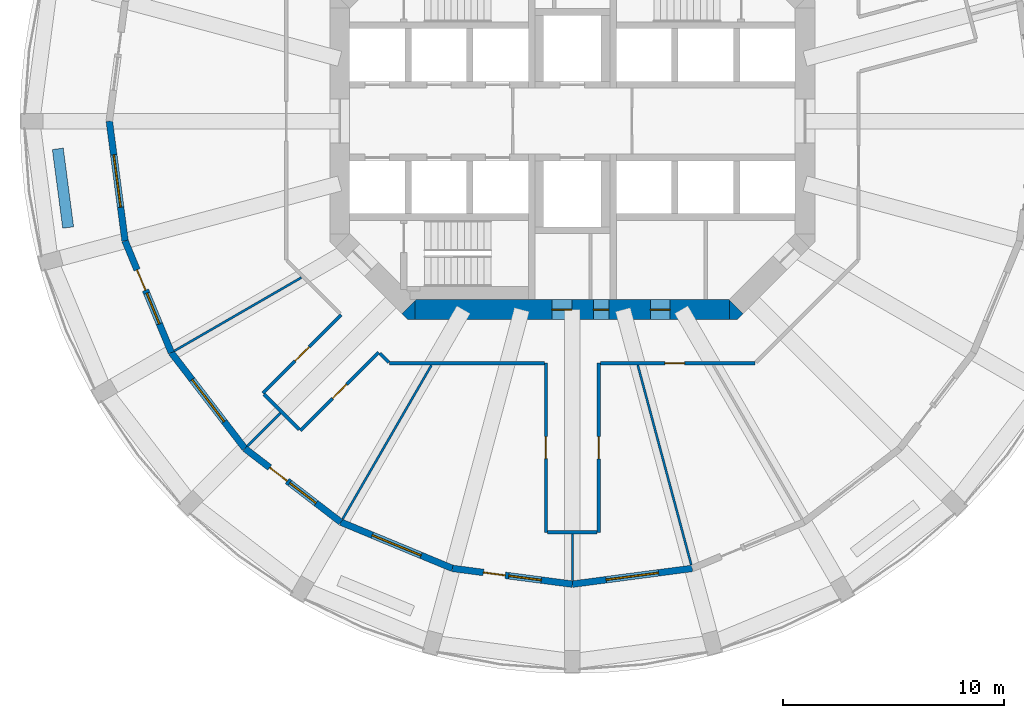
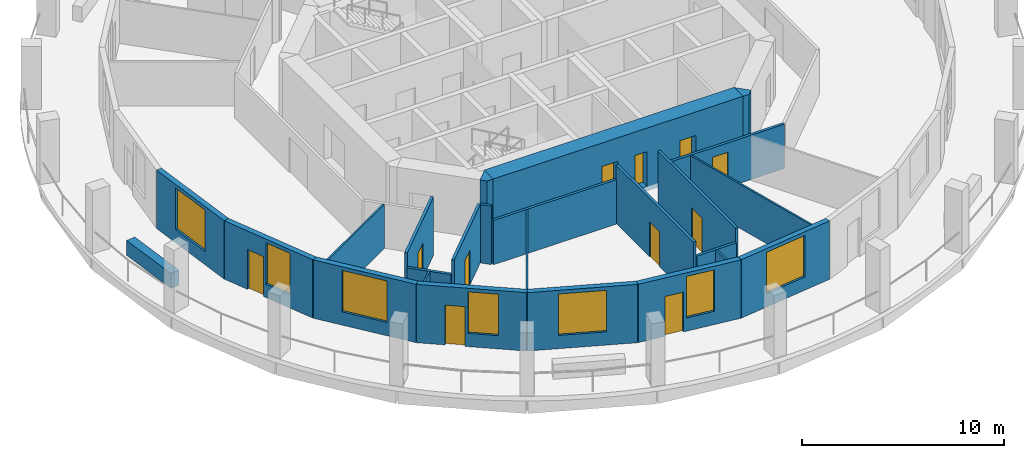
# One storey, part 2 of 8: 25 walls, 11 doors, 7 windows, 18 openings.
"""IFC4 building model written with IfcOpenShell, lengths in metres."""

import ifcopenshell
import ifcopenshell.guid

model = None  # the IFC model being written
_history = None  # IfcOwnerHistory: only IFC2X3 demands one
_inside = {}  # id of a spatial element -> (the spatial element, [elements in it])
_under = {}  # id of a project, library or spatial element -> (it, [spatial elements below it])
_declared = {}  # id of a project -> (the project, [libraries it declares])
_typed = {}  # id of a type object -> (the type object, [elements of that type])
_made_of = {}  # id of a material, layer set ... -> (it, [elements and type objects made of it])


def new_model(schema):
    """Start an empty IFC model of exactly this schema.

    Asked for "IFC4X3", IfcOpenShell would pick the latest addendum, in which some entities
    have other attributes; the version numbers below select the first issue.
    IFC2X3 requires an IfcOwnerHistory on every rooted entity: one is made here for all.
    """
    global model, _history
    if schema == "IFC4X3":
        model = ifcopenshell.file(schema_version=(4, 3, 0, 0))
    else:
        model = ifcopenshell.file(schema=schema)
    _inside.clear()
    _under.clear()
    _declared.clear()
    _typed.clear()
    _made_of.clear()
    _history = None
    if model.schema == "IFC2X3":
        org = make("IfcOrganization", Name="unknown")
        user = make(
            "IfcPersonAndOrganization",
            ThePerson=make("IfcPerson", FamilyName="unknown"),
            TheOrganization=org,
        )
        app = make(
            "IfcApplication",
            ApplicationDeveloper=org,
            Version="unknown",
            ApplicationFullName="unknown",
            ApplicationIdentifier="unknown",
        )
        _history = make(
            "IfcOwnerHistory",
            OwningUser=user,
            OwningApplication=app,
            ChangeAction="ADDED",
            CreationDate=0,
        )
    return model


def make(cls, **values):
    """One entity of the class cls with the attributes given. An attribute that is None is left unset."""
    return model.create_entity(
        cls, **{name: value for name, value in values.items() if value is not None}
    )


def rooted(cls, **values):
    """An entity with a GlobalId (a new one), such as an element, a storey or a relation."""
    return make(cls, GlobalId=ifcopenshell.guid.new(), OwnerHistory=_history, **values)


def si_unit(unit_type, name, prefix=None):
    """IfcSIUnit, for example si_unit("LENGTHUNIT", "METRE", prefix="MILLI")."""
    return make("IfcSIUnit", UnitType=unit_type, Prefix=prefix, Name=name)


def assignment(units):
    """IfcUnitAssignment: the units of a project."""
    return None if units is None else make("IfcUnitAssignment", Units=units)


def point(xyz):
    """IfcCartesianPoint."""
    return None if xyz is None else make("IfcCartesianPoint", Coordinates=xyz)


def direction(xyz):
    """IfcDirection."""
    return None if xyz is None else make("IfcDirection", DirectionRatios=xyz)


def frame(location, z_axis=None, x_axis=None):
    """IfcAxis2Placement3D, a coordinate frame: its origin and axes. An axis left out is left unset."""
    return make(
        "IfcAxis2Placement3D",
        Location=point(location),
        Axis=direction(z_axis),
        RefDirection=direction(x_axis),
    )


def frame_2d(location, x_axis=None):
    """IfcAxis2Placement2D, a coordinate frame in the plane: its origin and x axis."""
    return make(
        "IfcAxis2Placement2D", Location=point(location), RefDirection=direction(x_axis)
    )


def origin():
    """The frame at (0, 0, 0) with its axes left unset."""
    return frame((0.0, 0.0, 0.0))


def place(relative_to, where):
    """IfcLocalPlacement: puts the frame where relative to a parent placement (None: the world)."""
    return make(
        "IfcLocalPlacement", PlacementRelTo=relative_to, RelativePlacement=where
    )


def context(
    kind, dimensions, precision=None, world=None, true_north=None, identifier=None
):
    """IfcGeometricRepresentationContext, for example the 3D "Model" context."""
    return make(
        "IfcGeometricRepresentationContext",
        ContextIdentifier=identifier,
        ContextType=kind,
        CoordinateSpaceDimension=dimensions,
        Precision=precision,
        WorldCoordinateSystem=world,
        TrueNorth=true_north,
    )


def subcontext(parent, identifier, kind, view, scale=None):
    """IfcGeometricRepresentationSubContext, for example "Body" below "Model"."""
    return make(
        "IfcGeometricRepresentationSubContext",
        ContextIdentifier=identifier,
        ContextType=kind,
        ParentContext=parent,
        TargetScale=scale,
        TargetView=view,
    )


def project(units=None, contexts=None):
    """IfcProject with its units and contexts."""
    return rooted(
        "IfcProject",
        Name="project",
        RepresentationContexts=contexts,
        UnitsInContext=assignment(units),
    )


def spatial(cls, under=None, at=None, **own):
    """A site, building, storey or space (cls), placed at a placement, below another one or the project."""
    s = rooted(cls, ObjectPlacement=at, **own)
    if under is not None:
        _under.setdefault(under.id(), (under, []))[1].append(s)
    return s


def polyline(points):
    """IfcPolyline through the points."""
    return make("IfcPolyline", Points=[point(p) for p in points])


def profile(cls, at=None, kind="AREA", **sizes):
    """A parametric profile (cls). Its sizes go by their IFC names, for example OverallWidth=200.0."""
    return make(cls, ProfileType=kind, Position=at, **sizes)


def rectangle(**sizes):
    """IfcRectangleProfileDef."""
    return profile("IfcRectangleProfileDef", **sizes)


def outline(outer, holes=None, kind="AREA"):
    """IfcArbitraryClosedProfileDef: a profile drawn as a closed curve; with holes, ...WithVoids."""
    if holes is None:
        return make("IfcArbitraryClosedProfileDef", ProfileType=kind, OuterCurve=outer)
    return make(
        "IfcArbitraryProfileDefWithVoids",
        ProfileType=kind,
        OuterCurve=outer,
        InnerCurves=holes,
    )


def extrude(swept, where, along, depth):
    """IfcExtrudedAreaSolid: the profile swept, set in the frame where, extruded along a direction by depth."""
    return make(
        "IfcExtrudedAreaSolid",
        SweptArea=swept,
        Position=where,
        ExtrudedDirection=direction(along),
        Depth=depth,
    )


def shape(context_of_items, identifier, shape_type, items):
    """IfcShapeRepresentation: the items that make up one representation, for example the "Body"."""
    return make(
        "IfcShapeRepresentation",
        ContextOfItems=context_of_items,
        RepresentationIdentifier=identifier,
        RepresentationType=shape_type,
        Items=items,
    )


def material(Name=None, Category=None):
    """IfcMaterial."""
    return make("IfcMaterial", Name=Name, Category=Category)


def layer(
    of_material, thickness, ventilated=None, Name=None, Category=None, Priority=None
):
    """IfcMaterialLayer: one layer of a wall or slab, of a material (None: an air gap)."""
    return make(
        "IfcMaterialLayer",
        Material=of_material,
        LayerThickness=thickness,
        IsVentilated=ventilated,
        Name=Name,
        Category=Category,
        Priority=Priority,
    )


def layer_set(layers, Name=None):
    """IfcMaterialLayerSet."""
    return make("IfcMaterialLayerSet", MaterialLayers=layers, LayerSetName=Name)


def made_of(thing, what):
    """Note that an element or type object is made of a material, layer set ...; save() writes the relation."""
    if what is not None:
        _made_of.setdefault(what.id(), (what, []))[1].append(thing)
    return thing


def type_object(cls, material=None, **own):
    """A type object (cls), such as IfcWallType, which elements share."""
    return made_of(rooted(cls, **own), material)


def element(
    cls,
    number,
    at=None,
    inside=None,
    cuts=None,
    type_object=None,
    material=None,
    context=None,
    identifier="Body",
    shape_type=None,
    held_by="IfcProductDefinitionShape",
    body=None,
    shapes=None,
    **own,
):
    """One element of the class cls, such as IfcWall. Its Tag is "e" and its number.

    at: its placement. inside: the storey or other place that contains it. cuts: it is an
    opening in that element (IfcRelVoidsElement). A single representation is given by context,
    identifier, shape_type and body (its items); several are given by shapes. held_by: the class
    of the entity that holds the representations. save() writes the other relations.
    """
    e = rooted(cls, Tag="e%d" % number, ObjectPlacement=at, **own)
    if body is not None:
        shapes = [shape(context, identifier, shape_type, body)]
    if shapes is not None:
        e.Representation = make(held_by, Representations=shapes)
    if inside is not None:
        _inside.setdefault(inside.id(), (inside, []))[1].append(e)
    if cuts is not None:
        rooted(
            "IfcRelVoidsElement", RelatingBuildingElement=cuts, RelatedOpeningElement=e
        )
    if type_object is not None:
        _typed.setdefault(type_object.id(), (type_object, []))[1].append(e)
    return made_of(e, material)


def fill(opening, filler):
    """IfcRelFillsElement: the door or window that sits in an opening."""
    return rooted(
        "IfcRelFillsElement",
        RelatingOpeningElement=opening,
        RelatedBuildingElement=filler,
    )


def aggregate(whole, parts):
    """IfcRelAggregates: a whole, such as a stair, and the parts it consists of."""
    return rooted("IfcRelAggregates", RelatingObject=whole, RelatedObjects=parts)


def save(model, path):
    """Write the relations noted so far, then the file.

    IfcRelAggregates (storeys below a building ...), IfcRelContainedInSpatialStructure (elements
    in a storey), IfcRelDefinesByType, IfcRelAssociatesMaterial and IfcRelDeclares: one each for
    every whole, place, type object, material and project.
    """
    for whole, parts in _under.values():
        aggregate(whole, parts)
    for where, things in _inside.values():
        rooted(
            "IfcRelContainedInSpatialStructure",
            RelatedElements=things,
            RelatingStructure=where,
        )
    for kind, things in _typed.values():
        rooted("IfcRelDefinesByType", RelatedObjects=things, RelatingType=kind)
    for what, things in _made_of.values():
        rooted("IfcRelAssociatesMaterial", RelatedObjects=things, RelatingMaterial=what)
    for by, libraries in _declared.values():
        rooted("IfcRelDeclares", RelatingContext=by, RelatedDefinitions=libraries)
    model.write(path)


model = new_model("IFC4")

# Units and contexts
model_context = context("Model", 3, precision=1e-05, world=origin(), true_north=direction((0.0, 1.0)))
body_context = subcontext(model_context, "Body", "Model", "MODEL_VIEW")
ifc_project = project(units=[si_unit("LENGTHUNIT", "METRE"), si_unit("AREAUNIT", "SQUARE_METRE"), si_unit("VOLUMEUNIT", "CUBIC_METRE"), si_unit("PLANEANGLEUNIT", "RADIAN"), si_unit("MASSUNIT", "GRAM", prefix="KILO")], contexts=[model_context])

# Site, building, storey
site_placement = place(None, origin())
site = spatial("IfcSite", under=ifc_project, at=site_placement, CompositionType="ELEMENT")
building_placement = place(site_placement, origin())
building = spatial("IfcBuilding", under=site, at=building_placement, Name="Torre Triforio", CompositionType="ELEMENT")
storey_placement = place(building_placement, frame((0.0, 0.0, 127.60009765625)))
storey = spatial("IfcBuildingStorey", under=building, at=storey_placement, Name="L28", CompositionType="ELEMENT", Elevation=127.60009765625)

# Wall, openings, doors
ifc_material_1 = material(Name="Concrete C60", Category="concrete")
ifc_layer_1 = layer(ifc_material_1, 0.89990234375)
ifc_layer_set_1 = layer_set([ifc_layer_1], Name="Concrete C60")
wall_type_1 = type_object("IfcWallType", Name="Core wall 900 mm C60 EI 120", PredefinedType="SHEAR", material=ifc_layer_set_1)
wall_1_placement = place(storey_placement, frame((-7.1298828125, -8.550048828125, -0.280029296875), z_axis=(0.0, 0.0, 1.0), x_axis=(1.0, 0.0, 0.0)))
wall_1 = element("IfcWall", 1, at=wall_1_placement, inside=storey, type_object=wall_type_1, Name="Core wall", PredefinedType="SHEAR", context=body_context, shape_type="SweptSolid", body=[
    extrude(rectangle(XDim=14.259765625, YDim=0.89990234375, at=frame_2d((7.1298828125, 0.0))), origin(), (0.0, 0.0, 1.0), 3.800048828125),
])
opening_1_placement = place(wall_1_placement, frame((8.080078125, 0.0, 0.280029296875)))
opening_1 = element("IfcOpeningElement", 2, at=opening_1_placement, cuts=wall_1, Name="Opening RISER-S", PredefinedType="OPENING", context=body_context, shape_type="SweptSolid", body=[
    extrude(rectangle(XDim=0.699951171875, YDim=2.10009765625, at=frame_2d((0.35009765625, 1.050048828125))), frame((0.0, 0.4599609375, 0.0), z_axis=(0.0, -1.0, 0.0), x_axis=(1.0, 0.0, 0.0)), (0.0, 0.0, 1.0), 0.919921875),
])
opening_2_placement = place(wall_1_placement, frame((6.205078125, 0.0, 0.280029296875)))
opening_2 = element("IfcOpeningElement", 3, at=opening_2_placement, cuts=wall_1, Name="Opening SW-01B", PredefinedType="OPENING", context=body_context, shape_type="SweptSolid", body=[
    extrude(rectangle(XDim=0.89990234375, YDim=2.10009765625, at=frame_2d((0.449951171875, 1.050048828125))), frame((0.0, 0.4599609375, 0.0), z_axis=(0.0, -1.0, 0.0), x_axis=(1.0, 0.0, 0.0)), (0.0, 0.0, 1.0), 0.919921875),
])
opening_3_placement = place(wall_1_placement, frame((10.66748046875, 0.0, 0.280029296875)))
opening_3 = element("IfcOpeningElement", 4, at=opening_3_placement, cuts=wall_1, Name="Opening SE-01A", PredefinedType="OPENING", context=body_context, shape_type="SweptSolid", body=[
    extrude(rectangle(XDim=0.89990234375, YDim=2.10009765625, at=frame_2d((0.449951171875, 1.050048828125))), frame((0.0, 0.4599609375, 0.0), z_axis=(0.0, -1.0, 0.0), x_axis=(1.0, 0.0, 0.0)), (0.0, 0.0, 1.0), 0.919921875),
])
ifc_material_2 = material(Name="Hollow metal fire door leaf")
door_type_1 = type_object("IfcDoorType", Name="Riser door 700 x 2100 EI 60", OperationType="NOTDEFINED", PredefinedType="DOOR", material=ifc_material_2)
door_1_placement = place(opening_1_placement, origin())
door_1 = element("IfcDoor", 5, at=door_1_placement, inside=storey, type_object=door_type_1, Name="Core door RISER-S", OperationType="SINGLE_SWING_LEFT", OverallHeight=2.10009765625, OverallWidth=0.699951171875, PredefinedType="DOOR", context=body_context, shape_type="SweptSolid", body=[
    extrude(rectangle(XDim=0.699951171875, YDim=2.10009765625, at=frame_2d((0.35009765625, 1.050048828125))), frame((0.0, 0.02490234375, 0.0), z_axis=(0.0, -1.0, 0.0), x_axis=(1.0, 0.0, 0.0)), (0.0, 0.0, 1.0), 0.050048828125),
])
fill(opening_1, door_1)
door_type_2 = type_object("IfcDoorType", Name="Room door 900 x 2100 EI 60", OperationType="NOTDEFINED", PredefinedType="DOOR", material=ifc_material_2)
door_2_placement = place(opening_2_placement, origin())
door_2 = element("IfcDoor", 6, at=door_2_placement, inside=storey, type_object=door_type_2, Name="Core door SW-01", OperationType="SINGLE_SWING_LEFT", OverallHeight=2.10009765625, OverallWidth=0.89990234375, PredefinedType="DOOR", context=body_context, shape_type="SweptSolid", body=[
    extrude(rectangle(XDim=0.89990234375, YDim=2.10009765625, at=frame_2d((0.449951171875, 1.050048828125))), frame((0.0, 0.02490234375, 0.0), z_axis=(0.0, -1.0, 0.0), x_axis=(1.0, 0.0, 0.0)), (0.0, 0.0, 1.0), 0.050048828125),
])
fill(opening_2, door_2)
door_3_placement = place(opening_3_placement, origin())
door_3 = element("IfcDoor", 7, at=door_3_placement, inside=storey, type_object=door_type_2, Name="Core door SE-01", OperationType="SINGLE_SWING_LEFT", OverallHeight=2.10009765625, OverallWidth=0.89990234375, PredefinedType="DOOR", context=body_context, shape_type="SweptSolid", body=[
    extrude(rectangle(XDim=0.89990234375, YDim=2.10009765625, at=frame_2d((0.449951171875, 1.050048828125))), frame((0.0, 0.02490234375, 0.0), z_axis=(0.0, -1.0, 0.0), x_axis=(1.0, 0.0, 0.0)), (0.0, 0.0, 1.0), 0.050048828125),
])
fill(opening_3, door_3)

# Walls
wall_2_placement = place(storey_placement, frame((0.0, 0.0, -0.280029296875)))
element("IfcWall", 8, at=wall_2_placement, inside=storey, type_object=wall_type_1, Name="Core wall", PredefinedType="SHEAR", context=body_context, shape_type="SweptSolid", body=[
    extrude(outline(polyline([(-7.472900390625, -9.0), (-7.736328125, -8.736328125), (-7.1298828125, -8.1298828125), (-7.1298828125, -9.0), (-7.472900390625, -9.0)])), origin(), (0.0, 0.0, 1.0), 3.800048828125),
])
wall_3_placement = place(storey_placement, frame((0.0, 0.0, -0.280029296875)))
element("IfcWall", 9, at=wall_3_placement, inside=storey, type_object=wall_type_1, Name="Core wall", PredefinedType="SHEAR", context=body_context, shape_type="SweptSolid", body=[
    extrude(outline(polyline([(7.472900390625, -9.0), (7.1298828125, -9.0), (7.1298828125, -8.1298828125), (7.736328125, -8.736328125), (7.472900390625, -9.0)])), origin(), (0.0, 0.0, 1.0), 3.800048828125),
])
ifc_material_3 = material(Name="Plasterboard on metal studs")
ifc_layer_2 = layer(ifc_material_3, 0.14990234375)
ifc_layer_set_2 = layer_set([ifc_layer_2], Name="Plasterboard on metal studs")
wall_type_2 = type_object("IfcWallType", Name="Corridor and tenancy wall 150 mm EI 60", PredefinedType="PARTITIONING", material=ifc_layer_set_2)
wall_4_placement = place(storey_placement, frame((-12.39111328125, -13.982177734375, 0.0), z_axis=(0.0, 0.0, 1.0), x_axis=(-0.707106781187, 0.707106781187, 0.0)))
element("IfcWall", 10, at=wall_4_placement, inside=storey, type_object=wall_type_2, Name="Partition 1", PredefinedType="PARTITIONING", context=body_context, shape_type="SweptSolid", body=[
    extrude(rectangle(XDim=2.25, YDim=0.14990234375, at=frame_2d((1.125, 0.0))), origin(), (0.0, 0.0, 1.0), 2.669921875),
])

# Wall, opening, door
wall_5_placement = place(storey_placement, frame((-14.03515625, -12.338134765625, 0.0), z_axis=(0.0, 0.0, 1.0), x_axis=(0.707106781187, 0.707106781187, 0.0)))
wall_5 = element("IfcWall", 11, at=wall_5_placement, inside=storey, type_object=wall_type_2, Name="Partition 2", PredefinedType="PARTITIONING", context=body_context, shape_type="SweptSolid", body=[
    extrude(rectangle(XDim=5.025634765625, YDim=0.14990234375, at=frame_2d((2.5126953125, 0.0))), origin(), (0.0, 0.0, 1.0), 3.52001953125),
])
opening_4_placement = place(wall_5_placement, frame((2.062744140625, 0.0, 0.0)))
opening_4 = element("IfcOpeningElement", 12, at=opening_4_placement, cuts=wall_5, Name="Opening D2-02", PredefinedType="OPENING", context=body_context, shape_type="SweptSolid", body=[
    extrude(rectangle(XDim=0.89990234375, YDim=2.10009765625, at=frame_2d((0.449951171875, 1.050048828125))), frame((0.0, 0.0849609375, 0.0), z_axis=(0.0, -1.0, 0.0), x_axis=(1.0, 0.0, 0.0)), (0.0, 0.0, 1.0), 0.169921875),
])
ifc_material_4 = material(Name="Timber", Category="wood")
door_type_3 = type_object("IfcDoorType", Name="Door 900 x 2100 single leaf EI 30", OperationType="NOTDEFINED", PredefinedType="DOOR", material=ifc_material_4)
door_4_placement = place(opening_4_placement, origin())
door_4 = element("IfcDoor", 13, at=door_4_placement, inside=storey, type_object=door_type_3, Name="Door D2-02", OperationType="SINGLE_SWING_LEFT", OverallHeight=2.10009765625, OverallWidth=0.89990234375, PredefinedType="DOOR", context=body_context, shape_type="SweptSolid", body=[
    extrude(rectangle(XDim=0.89990234375, YDim=2.10009765625, at=frame_2d((0.449951171875, 1.050048828125))), frame((0.0, 0.02490234375, 0.0), z_axis=(0.0, -1.0, 0.0), x_axis=(1.0, 0.0, 0.0)), (0.0, 0.0, 1.0), 0.050048828125),
])
fill(opening_4, door_4)

wall_6_placement = place(storey_placement, frame((8.291015625, -10.97509765625, 0.0), z_axis=(0.0, 0.0, 1.0), x_axis=(-1.0, 0.0, 0.0)))
wall_6 = element("IfcWall", 14, at=wall_6_placement, inside=storey, type_object=wall_type_2, Name="Partition 24", PredefinedType="PARTITIONING", context=body_context, shape_type="SweptSolid", body=[
    extrude(rectangle(XDim=7.01611328125, YDim=0.14990234375, at=frame_2d((3.508056640625, 0.0))), origin(), (0.0, 0.0, 1.0), 2.669921875),
])
opening_5_placement = place(wall_6_placement, frame((3.198486328125, 0.0, 0.0)))
opening_5 = element("IfcOpeningElement", 15, at=opening_5_placement, cuts=wall_6, Name="Opening D2-06", PredefinedType="OPENING", context=body_context, shape_type="SweptSolid", body=[
    extrude(rectangle(XDim=0.89990234375, YDim=2.10009765625, at=frame_2d((0.449951171875, 1.050048828125))), frame((0.0, 0.0849609375, 0.0), z_axis=(0.0, -1.0, 0.0), x_axis=(1.0, 0.0, 0.0)), (0.0, 0.0, 1.0), 0.169921875),
])
door_5_placement = place(opening_5_placement, origin())
door_5 = element("IfcDoor", 16, at=door_5_placement, inside=storey, type_object=door_type_3, Name="Door D2-06", OperationType="SINGLE_SWING_LEFT", OverallHeight=2.10009765625, OverallWidth=0.89990234375, PredefinedType="DOOR", context=body_context, shape_type="SweptSolid", body=[
    extrude(rectangle(XDim=0.89990234375, YDim=2.10009765625, at=frame_2d((0.449951171875, 1.050048828125))), frame((0.0, 0.02490234375, 0.0), z_axis=(0.0, -1.0, 0.0), x_axis=(1.0, 0.0, 0.0)), (0.0, 0.0, 1.0), 0.050048828125),
])
fill(opening_5, door_5)

wall_7_placement = place(storey_placement, frame((1.199951171875, -10.97509765625, 0.0), z_axis=(0.0, 0.0, 1.0), x_axis=(0.0, -1.0, 0.0)))
wall_7 = element("IfcWall", 17, at=wall_7_placement, inside=storey, type_object=wall_type_2, Name="Partition 25", PredefinedType="PARTITIONING", context=body_context, shape_type="SweptSolid", body=[
    extrude(rectangle(XDim=7.673583984375, YDim=0.14990234375, at=frame_2d((3.8369140625, 0.0))), origin(), (0.0, 0.0, 1.0), 3.52001953125),
])
opening_6_placement = place(wall_7_placement, frame((3.3369140625, 0.0, 0.0)))
opening_6 = element("IfcOpeningElement", 18, at=opening_6_placement, cuts=wall_7, Name="Opening D2-05", PredefinedType="OPENING", context=body_context, shape_type="SweptSolid", body=[
    extrude(rectangle(XDim=1.0, YDim=2.10009765625, at=frame_2d((0.5, 1.050048828125))), frame((0.0, 0.0849609375, 0.0), z_axis=(0.0, -1.0, 0.0), x_axis=(1.0, 0.0, 0.0)), (0.0, 0.0, 1.0), 0.169921875),
])
door_type_4 = type_object("IfcDoorType", Name="Door 1000 x 2100 single leaf EI 30", OperationType="NOTDEFINED", PredefinedType="DOOR", material=ifc_material_4)
door_6_placement = place(opening_6_placement, origin())
door_6 = element("IfcDoor", 19, at=door_6_placement, inside=storey, type_object=door_type_4, Name="Door D2-05", OperationType="SINGLE_SWING_LEFT", OverallHeight=2.10009765625, OverallWidth=1.0, PredefinedType="DOOR", context=body_context, shape_type="SweptSolid", body=[
    extrude(rectangle(XDim=1.0, YDim=2.10009765625, at=frame_2d((0.5, 1.050048828125))), frame((0.0, 0.02490234375, 0.0), z_axis=(0.0, -1.0, 0.0), x_axis=(1.0, 0.0, 0.0)), (0.0, 0.0, 1.0), 0.050048828125),
])
fill(opening_6, door_6)

# Wall
wall_8_placement = place(storey_placement, frame((1.125, -18.648681640625, 0.0), z_axis=(0.0, 0.0, 1.0), x_axis=(-1.0, 0.0, 0.0)))
element("IfcWall", 20, at=wall_8_placement, inside=storey, type_object=wall_type_2, Name="Partition 26", PredefinedType="PARTITIONING", context=body_context, shape_type="SweptSolid", body=[
    extrude(rectangle(XDim=2.25, YDim=0.14990234375, at=frame_2d((1.125, 0.0))), origin(), (0.0, 0.0, 1.0), 2.669921875),
])

# Wall, opening, door
wall_9_placement = place(storey_placement, frame((-1.199951171875, -18.648681640625, 0.0), z_axis=(0.0, 0.0, 1.0), x_axis=(0.0, 1.0, 0.0)))
wall_9 = element("IfcWall", 21, at=wall_9_placement, inside=storey, type_object=wall_type_2, Name="Partition 27", PredefinedType="PARTITIONING", context=body_context, shape_type="SweptSolid", body=[
    extrude(rectangle(XDim=7.673583984375, YDim=0.14990234375, at=frame_2d((3.8369140625, 0.0))), origin(), (0.0, 0.0, 1.0), 3.52001953125),
])
opening_7_placement = place(wall_9_placement, frame((3.3369140625, 0.0, 0.0)))
opening_7 = element("IfcOpeningElement", 22, at=opening_7_placement, cuts=wall_9, Name="Opening D2-04", PredefinedType="OPENING", context=body_context, shape_type="SweptSolid", body=[
    extrude(rectangle(XDim=1.0, YDim=2.10009765625, at=frame_2d((0.5, 1.050048828125))), frame((0.0, 0.0849609375, 0.0), z_axis=(0.0, -1.0, 0.0), x_axis=(1.0, 0.0, 0.0)), (0.0, 0.0, 1.0), 0.169921875),
])
door_7_placement = place(opening_7_placement, origin())
door_7 = element("IfcDoor", 23, at=door_7_placement, inside=storey, type_object=door_type_4, Name="Door D2-04", OperationType="SINGLE_SWING_LEFT", OverallHeight=2.10009765625, OverallWidth=1.0, PredefinedType="DOOR", context=body_context, shape_type="SweptSolid", body=[
    extrude(rectangle(XDim=1.0, YDim=2.10009765625, at=frame_2d((0.5, 1.050048828125))), frame((0.0, 0.02490234375, 0.0), z_axis=(0.0, -1.0, 0.0), x_axis=(1.0, 0.0, 0.0)), (0.0, 0.0, 1.0), 0.050048828125),
])
fill(opening_7, door_7)

# Walls
wall_10_placement = place(storey_placement, frame((-1.27490234375, -10.97509765625, 0.0), z_axis=(0.0, 0.0, 1.0), x_axis=(-1.0, 0.0, 0.0)))
element("IfcWall", 24, at=wall_10_placement, inside=storey, type_object=wall_type_2, Name="Partition 28", PredefinedType="PARTITIONING", context=body_context, shape_type="SweptSolid", body=[
    extrude(rectangle(XDim=7.01611328125, YDim=0.14990234375, at=frame_2d((3.508056640625, 0.0))), origin(), (0.0, 0.0, 1.0), 2.669921875),
])
wall_11_placement = place(storey_placement, frame((-8.327880859375, -10.93798828125, 0.0), z_axis=(0.0, 0.0, 1.0), x_axis=(-0.707106781187, 0.707106781187, 0.0)))
element("IfcWall", 25, at=wall_11_placement, inside=storey, type_object=wall_type_2, Name="Partition 29", PredefinedType="PARTITIONING", context=body_context, shape_type="SweptSolid", body=[
    extrude(rectangle(XDim=0.57080078125, YDim=0.14990234375, at=frame_2d((0.285400390625, 0.0))), origin(), (0.0, 0.0, 1.0), 3.52001953125),
])

# Wall, opening, door
wall_12_placement = place(storey_placement, frame((-8.784423828125, -10.4814453125, 0.0), z_axis=(0.0, 0.0, 1.0), x_axis=(-0.707106781187, -0.707106781187, 0.0)))
wall_12 = element("IfcWall", 26, at=wall_12_placement, inside=storey, type_object=wall_type_2, Name="Partition 30", PredefinedType="PARTITIONING", context=body_context, shape_type="SweptSolid", body=[
    extrude(rectangle(XDim=5.025634765625, YDim=0.14990234375, at=frame_2d((2.5126953125, 0.0))), origin(), (0.0, 0.0, 1.0), 3.52001953125),
])
opening_8_placement = place(wall_12_placement, frame((2.062744140625, 0.0, 0.0)))
opening_8 = element("IfcOpeningElement", 27, at=opening_8_placement, cuts=wall_12, Name="Opening D2-03", PredefinedType="OPENING", context=body_context, shape_type="SweptSolid", body=[
    extrude(rectangle(XDim=0.89990234375, YDim=2.10009765625, at=frame_2d((0.449951171875, 1.050048828125))), frame((0.0, 0.0849609375, 0.0), z_axis=(0.0, -1.0, 0.0), x_axis=(1.0, 0.0, 0.0)), (0.0, 0.0, 1.0), 0.169921875),
])
door_8_placement = place(opening_8_placement, origin())
door_8 = element("IfcDoor", 28, at=door_8_placement, inside=storey, type_object=door_type_3, Name="Door D2-03", OperationType="SINGLE_SWING_LEFT", OverallHeight=2.10009765625, OverallWidth=0.89990234375, PredefinedType="DOOR", context=body_context, shape_type="SweptSolid", body=[
    extrude(rectangle(XDim=0.89990234375, YDim=2.10009765625, at=frame_2d((0.449951171875, 1.050048828125))), frame((0.0, 0.02490234375, 0.0), z_axis=(0.0, -1.0, 0.0), x_axis=(1.0, 0.0, 0.0)), (0.0, 0.0, 1.0), 0.050048828125),
])
fill(opening_8, door_8)

# Walls
ifc_layer_3 = layer(ifc_material_3, 0.10009765625)
ifc_layer_set_3 = layer_set([ifc_layer_3], Name="Plasterboard on metal studs")
wall_type_3 = type_object("IfcWallType", Name="Partition 100 mm board on metal studs", PredefinedType="PARTITIONING", material=ifc_layer_set_3)
wall_13_placement = place(storey_placement, frame((-12.294189453125, -7.097900390625, 0.0), z_axis=(0.0, 0.0, 1.0), x_axis=(-0.866010486135, -0.500025837236, 0.0)))
element("IfcWall", 29, at=wall_13_placement, inside=storey, type_object=wall_type_3, Name="Partition 40", PredefinedType="PARTITIONING", context=body_context, shape_type="SweptSolid", body=[
    extrude(rectangle(XDim=6.640869140625, YDim=0.10009765625, at=frame_2d((3.3203125, 0.0))), origin(), (0.0, 0.0, 1.0), 2.669921875),
])
wall_14_placement = place(storey_placement, frame((-13.23974609375, -13.23974609375, 0.0), z_axis=(0.0, 0.0, 1.0), x_axis=(-0.707106781187, -0.707106781187, 0.0)))
element("IfcWall", 30, at=wall_14_placement, inside=storey, type_object=wall_type_3, Name="Partition 41", PredefinedType="PARTITIONING", context=body_context, shape_type="SweptSolid", body=[
    extrude(rectangle(XDim=2.113037109375, YDim=0.10009765625, at=frame_2d((1.056640625, 0.0))), origin(), (0.0, 0.0, 1.0), 2.669921875),
])
wall_15_placement = place(storey_placement, frame((-6.393798828125, -11.07470703125, 0.0), z_axis=(0.0, 0.0, 1.0), x_axis=(-0.500024397361, -0.866011317503, 0.0)))
element("IfcWall", 31, at=wall_15_placement, inside=storey, type_object=wall_type_3, Name="Partition 42", PredefinedType="PARTITIONING", context=body_context, shape_type="SweptSolid", body=[
    extrude(rectangle(XDim=8.048828125, YDim=0.10009765625, at=frame_2d((4.0244140625, 0.0))), origin(), (0.0, 0.0, 1.0), 2.669921875),
])
wall_16_placement = place(storey_placement, frame((0.0, -18.7236328125, 0.0), z_axis=(0.0, 0.0, 1.0), x_axis=(0.0, -1.0, 0.0)))
element("IfcWall", 32, at=wall_16_placement, inside=storey, type_object=wall_type_3, Name="Partition 43", PredefinedType="PARTITIONING", context=body_context, shape_type="SweptSolid", body=[
    extrude(rectangle(XDim=2.113037109375, YDim=0.10009765625, at=frame_2d((1.056640625, 0.0))), origin(), (0.0, 0.0, 1.0), 2.669921875),
])
wall_17_placement = place(storey_placement, frame((2.964599609375, -11.064208984375, 0.0), z_axis=(0.0, 0.0, 1.0), x_axis=(0.258812392192, -0.965927608906, 0.0)))
element("IfcWall", 33, at=wall_17_placement, inside=storey, type_object=wall_type_3, Name="Partition 44", PredefinedType="PARTITIONING", context=body_context, shape_type="SweptSolid", body=[
    extrude(rectangle(XDim=9.382080078125, YDim=0.10009765625, at=frame_2d((4.69091796875, 0.0))), origin(), (0.0, 0.0, 1.0), 2.669921875),
])
ifc_material_5 = material(Name="Limestone cladding", Category="masonry")
ifc_layer_4 = layer(ifc_material_5, 0.10009765625)
ifc_material_6 = material(Name="Concrete C40", Category="concrete")
ifc_layer_5 = layer(ifc_material_6, 0.39990234375)
ifc_layer_set_4 = layer_set([ifc_layer_4, ifc_layer_5], Name="Limestone cladding / Concrete C40")
wall_type_4 = type_object("IfcWallType", Name="Planter wall 500", PredefinedType="PARAPET", material=ifc_layer_set_4)
wall_18_placement = place(storey_placement, frame((-23.335693359375, -1.256591796875, 0.0), z_axis=(0.0, 0.0, 1.0), x_axis=(0.130542222659, -0.991442750795, 0.0)))
element("IfcWall", 34, at=wall_18_placement, inside=storey, type_object=wall_type_4, Name="Planter L28 bay 13", PredefinedType="PARAPET", context=body_context, shape_type="SweptSolid", body=[
    extrude(rectangle(XDim=3.60009765625, YDim=0.5, at=frame_2d((1.800048828125, 0.0))), origin(), (0.0, 0.0, 1.0), 0.89990234375),
])

# Wall, opening, window
ifc_layer_6 = layer(ifc_material_5, 0.10009765625)
ifc_layer_7 = layer(ifc_material_6, 0.199951171875)
ifc_layer_set_5 = layer_set([ifc_layer_6, ifc_layer_7], Name="Limestone cladding / Concrete C40")
wall_type_5 = type_object("IfcWallType", Name="Stone-faced composite wall 300", PredefinedType="STANDARD", material=ifc_layer_set_5)
wall_19_placement = place(storey_placement, frame((-21.0, 0.0, 0.0), z_axis=(0.0, 0.0, 1.0), x_axis=(0.130527087244, -0.991444743541, 0.0)))
wall_19 = element("IfcWall", 35, at=wall_19_placement, inside=storey, type_object=wall_type_5, Name="External wall L28 bay 13", PredefinedType="STANDARD", context=body_context, shape_type="SweptSolid", body=[
    extrude(rectangle(XDim=5.482177734375, YDim=0.300048828125, at=frame_2d((2.7412109375, 0.0))), origin(), (0.0, 0.0, 1.0), 3.52001953125),
])
opening_9_placement = place(wall_19_placement, frame((1.541015625, 0.0, 0.800048828125)))
opening_9 = element("IfcOpeningElement", 36, at=opening_9_placement, cuts=wall_19, Name="Opening D2-W13", PredefinedType="OPENING", context=body_context, shape_type="SweptSolid", body=[
    extrude(rectangle(XDim=2.39990234375, YDim=2.5, at=frame_2d((1.199951171875, 1.25))), frame((0.0, 0.159912109375, 0.0), z_axis=(0.0, -1.0, 0.0), x_axis=(1.0, 0.0, 0.0)), (0.0, 0.0, 1.0), 0.320068359375),
])
ifc_material_7 = material(Name="Aluminium frame with clear double glazing", Category="aluminium")
window_type_1 = type_object("IfcWindowType", Name="Punched window 2400 x 2500", PartitioningType="DOUBLE_PANEL_VERTICAL", PredefinedType="WINDOW", material=ifc_material_7)
window_1_placement = place(opening_9_placement, origin())
window_1 = element("IfcWindow", 37, at=window_1_placement, inside=storey, type_object=window_type_1, Name="Window EWN3 L28 bay 13", OverallHeight=2.5, OverallWidth=2.39990234375, PartitioningType="SINGLE_PANEL", PredefinedType="WINDOW", context=body_context, shape_type="SweptSolid", body=[
    extrude(rectangle(XDim=2.39990234375, YDim=2.5, at=frame_2d((1.199951171875, 1.25))), frame((0.0, 0.030029296875, 0.0), z_axis=(0.0, -1.0, 0.0), x_axis=(1.0, 0.0, 0.0)), (0.0, 0.0, 1.0), 0.06005859375),
])
fill(opening_9, window_1)

# Wall, openings, door, window
wall_20_placement = place(storey_placement, frame((-20.284423828125, -5.435302734375, 0.0), z_axis=(0.0, 0.0, 1.0), x_axis=(0.382688740813, -0.923877333662, 0.0)))
wall_20 = element("IfcWall", 38, at=wall_20_placement, inside=storey, type_object=wall_type_5, Name="External wall L28 bay 14", PredefinedType="STANDARD", context=body_context, shape_type="SweptSolid", body=[
    extrude(rectangle(XDim=5.48193359375, YDim=0.300048828125, at=frame_2d((2.740966796875, 0.0))), origin(), (0.0, 0.0, 1.0), 3.52001953125),
])
opening_10_placement = place(wall_20_placement, frame((1.416015625, 0.0, 0.0)))
opening_10 = element("IfcOpeningElement", 39, at=opening_10_placement, cuts=wall_20, Name="Opening D2-D14", PredefinedType="OPENING", context=body_context, shape_type="SweptSolid", body=[
    extrude(rectangle(XDim=1.0, YDim=2.39990234375, at=frame_2d((0.5, 1.199951171875))), frame((0.0, 0.159912109375, 0.0), z_axis=(0.0, -1.0, 0.0), x_axis=(1.0, 0.0, 0.0)), (0.0, 0.0, 1.0), 0.320068359375),
])
opening_11_placement = place(wall_20_placement, frame((2.566162109375, 0.0, 0.800048828125)))
opening_11 = element("IfcOpeningElement", 40, at=opening_11_placement, cuts=wall_20, Name="Opening D2-W14A", PredefinedType="OPENING", context=body_context, shape_type="SweptSolid", body=[
    extrude(rectangle(XDim=1.5, YDim=2.5, at=frame_2d((0.75, 1.25))), frame((0.0, 0.159912109375, 0.0), z_axis=(0.0, -1.0, 0.0), x_axis=(1.0, 0.0, 0.0)), (0.0, 0.0, 1.0), 0.320068359375),
])
door_type_5 = type_object("IfcDoorType", Name="Loggia door 1000 x 2400", OperationType="NOTDEFINED", PredefinedType="DOOR", material=ifc_material_7)
door_9_placement = place(opening_10_placement, origin())
door_9 = element("IfcDoor", 41, at=door_9_placement, inside=storey, type_object=door_type_5, Name="Loggia door L28 bay 14", OperationType="SINGLE_SWING_LEFT", OverallHeight=2.39990234375, OverallWidth=1.0, PredefinedType="DOOR", context=body_context, shape_type="SweptSolid", body=[
    extrude(rectangle(XDim=1.0, YDim=2.39990234375, at=frame_2d((0.5, 1.199951171875))), frame((0.0, 0.02490234375, 0.0), z_axis=(0.0, -1.0, 0.0), x_axis=(1.0, 0.0, 0.0)), (0.0, 0.0, 1.0), 0.050048828125),
])
fill(opening_10, door_9)
window_type_2 = type_object("IfcWindowType", Name="Side window 1500 x 2500", PartitioningType="SINGLE_PANEL", PredefinedType="WINDOW", material=ifc_material_7)
window_2_placement = place(opening_11_placement, origin())
window_2 = element("IfcWindow", 42, at=window_2_placement, inside=storey, type_object=window_type_2, Name="Side window EWN13 L28 bay 14", OverallHeight=2.5, OverallWidth=1.5, PartitioningType="SINGLE_PANEL", PredefinedType="WINDOW", context=body_context, shape_type="SweptSolid", body=[
    extrude(rectangle(XDim=1.5, YDim=2.5, at=frame_2d((0.75, 1.25))), frame((0.0, 0.030029296875, 0.0), z_axis=(0.0, -1.0, 0.0), x_axis=(1.0, 0.0, 0.0)), (0.0, 0.0, 1.0), 0.06005859375),
])
fill(opening_11, window_2)

# Wall, opening, window
wall_21_placement = place(storey_placement, frame((-18.1865234375, -10.5, 0.0), z_axis=(0.0, 0.0, 1.0), x_axis=(0.608784891166, -0.793335336593, 0.0)))
wall_21 = element("IfcWall", 43, at=wall_21_placement, inside=storey, type_object=wall_type_5, Name="External wall L28 bay 15", PredefinedType="STANDARD", context=body_context, shape_type="SweptSolid", body=[
    extrude(rectangle(XDim=5.482177734375, YDim=0.300048828125, at=frame_2d((2.7412109375, 0.0))), origin(), (0.0, 0.0, 1.0), 3.52001953125),
])
opening_12_placement = place(wall_21_placement, frame((1.541015625, 0.0, 0.800048828125)))
opening_12 = element("IfcOpeningElement", 44, at=opening_12_placement, cuts=wall_21, Name="Opening D2-W15", PredefinedType="OPENING", context=body_context, shape_type="SweptSolid", body=[
    extrude(rectangle(XDim=2.39990234375, YDim=2.5, at=frame_2d((1.199951171875, 1.25))), frame((0.0, 0.159912109375, 0.0), z_axis=(0.0, -1.0, 0.0), x_axis=(1.0, 0.0, 0.0)), (0.0, 0.0, 1.0), 0.320068359375),
])
window_3_placement = place(opening_12_placement, origin())
window_3 = element("IfcWindow", 45, at=window_3_placement, inside=storey, type_object=window_type_1, Name="Window EWN3 L28 bay 15", OverallHeight=2.5, OverallWidth=2.39990234375, PartitioningType="SINGLE_PANEL", PredefinedType="WINDOW", context=body_context, shape_type="SweptSolid", body=[
    extrude(rectangle(XDim=2.39990234375, YDim=2.5, at=frame_2d((1.199951171875, 1.25))), frame((0.0, 0.030029296875, 0.0), z_axis=(0.0, -1.0, 0.0), x_axis=(1.0, 0.0, 0.0)), (0.0, 0.0, 1.0), 0.06005859375),
])
fill(opening_12, window_3)

# Wall, openings, door, window
wall_22_placement = place(storey_placement, frame((-14.84912109375, -14.84912109375, 0.0), z_axis=(0.0, 0.0, 1.0), x_axis=(0.793335336593, -0.608784891166, 0.0)))
wall_22 = element("IfcWall", 46, at=wall_22_placement, inside=storey, type_object=wall_type_5, Name="External wall L28 bay 16", PredefinedType="STANDARD", context=body_context, shape_type="SweptSolid", body=[
    extrude(rectangle(XDim=5.482177734375, YDim=0.300048828125, at=frame_2d((2.7412109375, 0.0))), origin(), (0.0, 0.0, 1.0), 3.52001953125),
])
opening_13_placement = place(wall_22_placement, frame((1.416015625, 0.0, 0.0)))
opening_13 = element("IfcOpeningElement", 47, at=opening_13_placement, cuts=wall_22, Name="Opening D2-D16", PredefinedType="OPENING", context=body_context, shape_type="SweptSolid", body=[
    extrude(rectangle(XDim=1.0, YDim=2.39990234375, at=frame_2d((0.5, 1.199951171875))), frame((0.0, 0.159912109375, 0.0), z_axis=(0.0, -1.0, 0.0), x_axis=(1.0, 0.0, 0.0)), (0.0, 0.0, 1.0), 0.320068359375),
])
opening_14_placement = place(wall_22_placement, frame((2.56591796875, 0.0, 0.800048828125)))
opening_14 = element("IfcOpeningElement", 48, at=opening_14_placement, cuts=wall_22, Name="Opening D2-W16A", PredefinedType="OPENING", context=body_context, shape_type="SweptSolid", body=[
    extrude(rectangle(XDim=1.5, YDim=2.5, at=frame_2d((0.75, 1.25))), frame((0.0, 0.159912109375, 0.0), z_axis=(0.0, -1.0, 0.0), x_axis=(1.0, 0.0, 0.0)), (0.0, 0.0, 1.0), 0.320068359375),
])
door_10_placement = place(opening_13_placement, origin())
door_10 = element("IfcDoor", 49, at=door_10_placement, inside=storey, type_object=door_type_5, Name="Loggia door L28 bay 16", OperationType="SINGLE_SWING_LEFT", OverallHeight=2.39990234375, OverallWidth=1.0, PredefinedType="DOOR", context=body_context, shape_type="SweptSolid", body=[
    extrude(rectangle(XDim=1.0, YDim=2.39990234375, at=frame_2d((0.5, 1.199951171875))), frame((0.0, 0.02490234375, 0.0), z_axis=(0.0, -1.0, 0.0), x_axis=(1.0, 0.0, 0.0)), (0.0, 0.0, 1.0), 0.050048828125),
])
fill(opening_13, door_10)
window_4_placement = place(opening_14_placement, origin())
window_4 = element("IfcWindow", 50, at=window_4_placement, inside=storey, type_object=window_type_2, Name="Side window EWN13 L28 bay 16", OverallHeight=2.5, OverallWidth=1.5, PartitioningType="SINGLE_PANEL", PredefinedType="WINDOW", context=body_context, shape_type="SweptSolid", body=[
    extrude(rectangle(XDim=1.5, YDim=2.5, at=frame_2d((0.75, 1.25))), frame((0.0, 0.030029296875, 0.0), z_axis=(0.0, -1.0, 0.0), x_axis=(1.0, 0.0, 0.0)), (0.0, 0.0, 1.0), 0.06005859375),
])
fill(opening_14, window_4)

# Wall, opening, window
wall_23_placement = place(storey_placement, frame((-10.5, -18.1865234375, 0.0), z_axis=(0.0, 0.0, 1.0), x_axis=(0.923877333662, -0.382688740813, 0.0)))
wall_23 = element("IfcWall", 51, at=wall_23_placement, inside=storey, type_object=wall_type_5, Name="External wall L28 bay 17", PredefinedType="STANDARD", context=body_context, shape_type="SweptSolid", body=[
    extrude(rectangle(XDim=5.48193359375, YDim=0.300048828125, at=frame_2d((2.740966796875, 0.0))), origin(), (0.0, 0.0, 1.0), 3.52001953125),
])
opening_15_placement = place(wall_23_placement, frame((1.541015625, 0.0, 0.800048828125)))
opening_15 = element("IfcOpeningElement", 52, at=opening_15_placement, cuts=wall_23, Name="Opening D2-W17", PredefinedType="OPENING", context=body_context, shape_type="SweptSolid", body=[
    extrude(rectangle(XDim=2.39990234375, YDim=2.5, at=frame_2d((1.199951171875, 1.25))), frame((0.0, 0.159912109375, 0.0), z_axis=(0.0, -1.0, 0.0), x_axis=(1.0, 0.0, 0.0)), (0.0, 0.0, 1.0), 0.320068359375),
])
window_5_placement = place(opening_15_placement, origin())
window_5 = element("IfcWindow", 53, at=window_5_placement, inside=storey, type_object=window_type_1, Name="Window EWN3 L28 bay 17", OverallHeight=2.5, OverallWidth=2.39990234375, PartitioningType="SINGLE_PANEL", PredefinedType="WINDOW", context=body_context, shape_type="SweptSolid", body=[
    extrude(rectangle(XDim=2.39990234375, YDim=2.5, at=frame_2d((1.199951171875, 1.25))), frame((0.0, 0.030029296875, 0.0), z_axis=(0.0, -1.0, 0.0), x_axis=(1.0, 0.0, 0.0)), (0.0, 0.0, 1.0), 0.06005859375),
])
fill(opening_15, window_5)

# Wall, openings, door, window
wall_24_placement = place(storey_placement, frame((-5.435302734375, -20.284423828125, 0.0), z_axis=(0.0, 0.0, 1.0), x_axis=(0.991444743541, -0.130527087244, 0.0)))
wall_24 = element("IfcWall", 54, at=wall_24_placement, inside=storey, type_object=wall_type_5, Name="External wall L28 bay 18", PredefinedType="STANDARD", context=body_context, shape_type="SweptSolid", body=[
    extrude(rectangle(XDim=5.482177734375, YDim=0.300048828125, at=frame_2d((2.7412109375, 0.0))), origin(), (0.0, 0.0, 1.0), 3.52001953125),
])
opening_16_placement = place(wall_24_placement, frame((1.416015625, 0.0, 0.0)))
opening_16 = element("IfcOpeningElement", 55, at=opening_16_placement, cuts=wall_24, Name="Opening D2-D18", PredefinedType="OPENING", context=body_context, shape_type="SweptSolid", body=[
    extrude(rectangle(XDim=1.0, YDim=2.39990234375, at=frame_2d((0.5, 1.199951171875))), frame((0.0, 0.159912109375, 0.0), z_axis=(0.0, -1.0, 0.0), x_axis=(1.0, 0.0, 0.0)), (0.0, 0.0, 1.0), 0.320068359375),
])
opening_17_placement = place(wall_24_placement, frame((2.566162109375, 0.0, 0.800048828125)))
opening_17 = element("IfcOpeningElement", 56, at=opening_17_placement, cuts=wall_24, Name="Opening D2-W18A", PredefinedType="OPENING", context=body_context, shape_type="SweptSolid", body=[
    extrude(rectangle(XDim=1.5, YDim=2.5, at=frame_2d((0.75, 1.25))), frame((0.0, 0.159912109375, 0.0), z_axis=(0.0, -1.0, 0.0), x_axis=(1.0, 0.0, 0.0)), (0.0, 0.0, 1.0), 0.320068359375),
])
door_11_placement = place(opening_16_placement, origin())
door_11 = element("IfcDoor", 57, at=door_11_placement, inside=storey, type_object=door_type_5, Name="Loggia door L28 bay 18", OperationType="SINGLE_SWING_LEFT", OverallHeight=2.39990234375, OverallWidth=1.0, PredefinedType="DOOR", context=body_context, shape_type="SweptSolid", body=[
    extrude(rectangle(XDim=1.0, YDim=2.39990234375, at=frame_2d((0.5, 1.199951171875))), frame((0.0, 0.02490234375, 0.0), z_axis=(0.0, -1.0, 0.0), x_axis=(1.0, 0.0, 0.0)), (0.0, 0.0, 1.0), 0.050048828125),
])
fill(opening_16, door_11)
window_6_placement = place(opening_17_placement, origin())
window_6 = element("IfcWindow", 58, at=window_6_placement, inside=storey, type_object=window_type_2, Name="Side window EWN13 L28 bay 18", OverallHeight=2.5, OverallWidth=1.5, PartitioningType="SINGLE_PANEL", PredefinedType="WINDOW", context=body_context, shape_type="SweptSolid", body=[
    extrude(rectangle(XDim=1.5, YDim=2.5, at=frame_2d((0.75, 1.25))), frame((0.0, 0.030029296875, 0.0), z_axis=(0.0, -1.0, 0.0), x_axis=(1.0, 0.0, 0.0)), (0.0, 0.0, 1.0), 0.06005859375),
])
fill(opening_17, window_6)

# Wall, opening, window
wall_25_placement = place(storey_placement, frame((0.0, -21.0, 0.0), z_axis=(0.0, 0.0, 1.0), x_axis=(0.991444743541, 0.130527087244, 0.0)))
wall_25 = element("IfcWall", 59, at=wall_25_placement, inside=storey, type_object=wall_type_5, Name="External wall L28 bay 19", PredefinedType="STANDARD", context=body_context, shape_type="SweptSolid", body=[
    extrude(rectangle(XDim=5.482177734375, YDim=0.300048828125, at=frame_2d((2.7412109375, 0.0))), origin(), (0.0, 0.0, 1.0), 3.52001953125),
])
opening_18_placement = place(wall_25_placement, frame((1.541015625, 0.0, 0.800048828125)))
opening_18 = element("IfcOpeningElement", 60, at=opening_18_placement, cuts=wall_25, Name="Opening D2-W19", PredefinedType="OPENING", context=body_context, shape_type="SweptSolid", body=[
    extrude(rectangle(XDim=2.39990234375, YDim=2.5, at=frame_2d((1.199951171875, 1.25))), frame((0.0, 0.159912109375, 0.0), z_axis=(0.0, -1.0, 0.0), x_axis=(1.0, 0.0, 0.0)), (0.0, 0.0, 1.0), 0.320068359375),
])
window_7_placement = place(opening_18_placement, origin())
window_7 = element("IfcWindow", 61, at=window_7_placement, inside=storey, type_object=window_type_1, Name="Window EWN3 L28 bay 19", OverallHeight=2.5, OverallWidth=2.39990234375, PartitioningType="SINGLE_PANEL", PredefinedType="WINDOW", context=body_context, shape_type="SweptSolid", body=[
    extrude(rectangle(XDim=2.39990234375, YDim=2.5, at=frame_2d((1.199951171875, 1.25))), frame((0.0, 0.030029296875, 0.0), z_axis=(0.0, -1.0, 0.0), x_axis=(1.0, 0.0, 0.0)), (0.0, 0.0, 1.0), 0.06005859375),
])
fill(opening_18, window_7)

save(model, "model.ifc")
